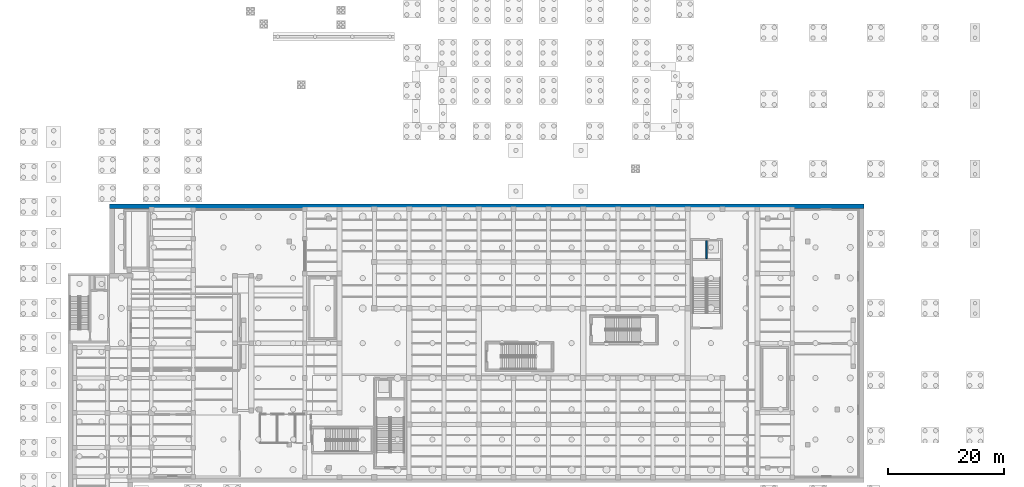
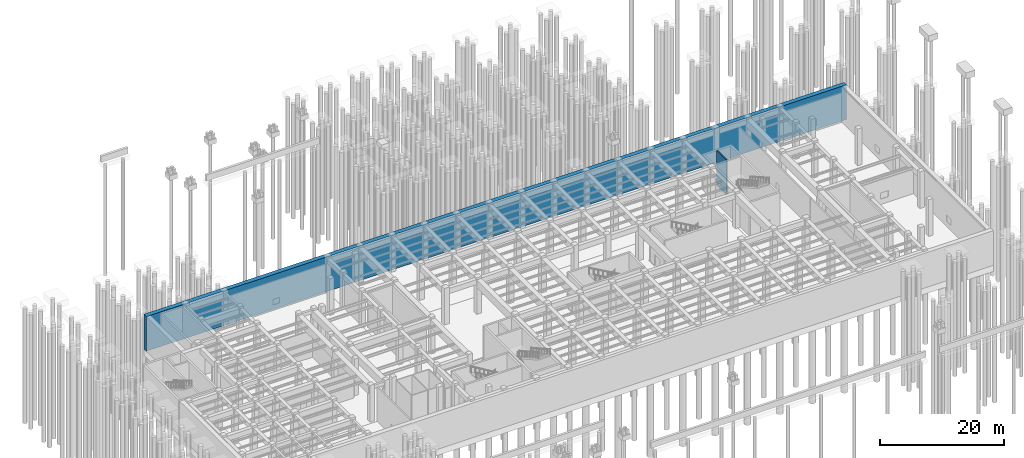
# One storey, part 18 of 30: 2 walls.
"""IFC4 building model written with IfcOpenShell, lengths in metres."""

from ifc_helpers import new_model, si_unit, direction, frame, frame_2d, origin, place, context, subcontext, project, spatial, rectangle, extrude, material, layer, layer_set, type_object, element, save


model = new_model("IFC4")

# Units and contexts
model_context = context("Model", 3, precision=1e-05, world=origin(), true_north=direction((0.0, 1.0)))
body_context = subcontext(model_context, "Body", "Model", "MODEL_VIEW")
ifc_project = project(units=[si_unit("LENGTHUNIT", "METRE"), si_unit("AREAUNIT", "SQUARE_METRE"), si_unit("VOLUMEUNIT", "CUBIC_METRE"), si_unit("PLANEANGLEUNIT", "RADIAN"), si_unit("MASSUNIT", "GRAM", prefix="KILO")], contexts=[model_context])

# Site, building, storey
site_placement = place(None, origin())
site = spatial("IfcSite", under=ifc_project, at=site_placement, CompositionType="ELEMENT")
building_placement = place(site_placement, origin())
building = spatial("IfcBuilding", under=site, at=building_placement, Name="Kolvaren Corner Interchange", CompositionType="ELEMENT")
storey_placement = place(building_placement, frame((0.0, 0.0, -7.199951171875)))
storey = spatial("IfcBuildingStorey", under=building, at=storey_placement, Name="B1", CompositionType="ELEMENT", Elevation=-7.199951171875)

# Walls
ifc_material_1 = material(Name="Concrete C40/50", Category="concrete")
ifc_layer_1 = layer(ifc_material_1, 0.800048828125)
ifc_layer_set_1 = layer_set([ifc_layer_1], Name="Concrete C40/50")
wall_type_1 = type_object("IfcWallType", Name="WL-METRO-800", PredefinedType="SHEAR", material=ifc_layer_set_1)
wall_1_placement = place(storey_placement, frame((14.39990234375, 71.60009765625, 0.0), z_axis=(0.0, 0.0, 1.0), x_axis=(1.0, 0.0, 0.0)))
element("IfcWall", 1, at=wall_1_placement, inside=storey, type_object=wall_type_1, Name="Metro Station North Diaphragm Wall", PredefinedType="SHEAR", context=body_context, shape_type="SweptSolid", body=[
    extrude(rectangle(XDim=130.0, YDim=0.800048828125, at=frame_2d((65.0, 0.0))), origin(), (0.0, 0.0, 1.0), 6.800048828125),
])
ifc_material_2 = material(Name="Concrete C35/45", Category="concrete")
ifc_layer_2 = layer(ifc_material_2, 0.25)
ifc_layer_set_2 = layer_set([ifc_layer_2], Name="Concrete C35/45")
wall_type_2 = type_object("IfcWallType", Name="WT-SHAFT-RC250", PredefinedType="SHEAR", material=ifc_layer_set_2)
wall_2_placement = place(storey_placement, frame((117.199951171875, 62.554931640625, 0.0), z_axis=(0.0, 0.0, 1.0), x_axis=(0.0, 1.0, 0.0)))
element("IfcWall", 2, at=wall_2_placement, inside=storey, type_object=wall_type_2, Name="Core B1 C4 Passenger Lift Side Wall", PredefinedType="SHEAR", context=body_context, shape_type="SweptSolid", body=[
    extrude(rectangle(XDim=3.094970703125, YDim=0.25, at=frame_2d((1.54736328125, 0.0))), origin(), (0.0, 0.0, 1.0), 6.800048828125),
])

save(model, "model.ifc")
